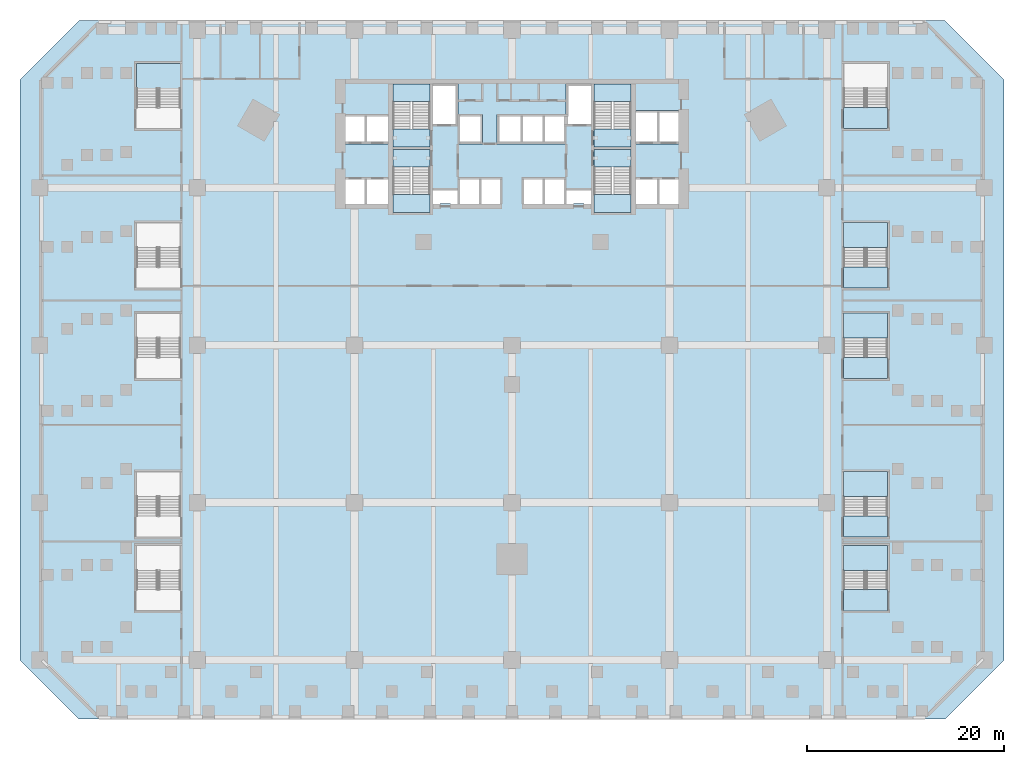
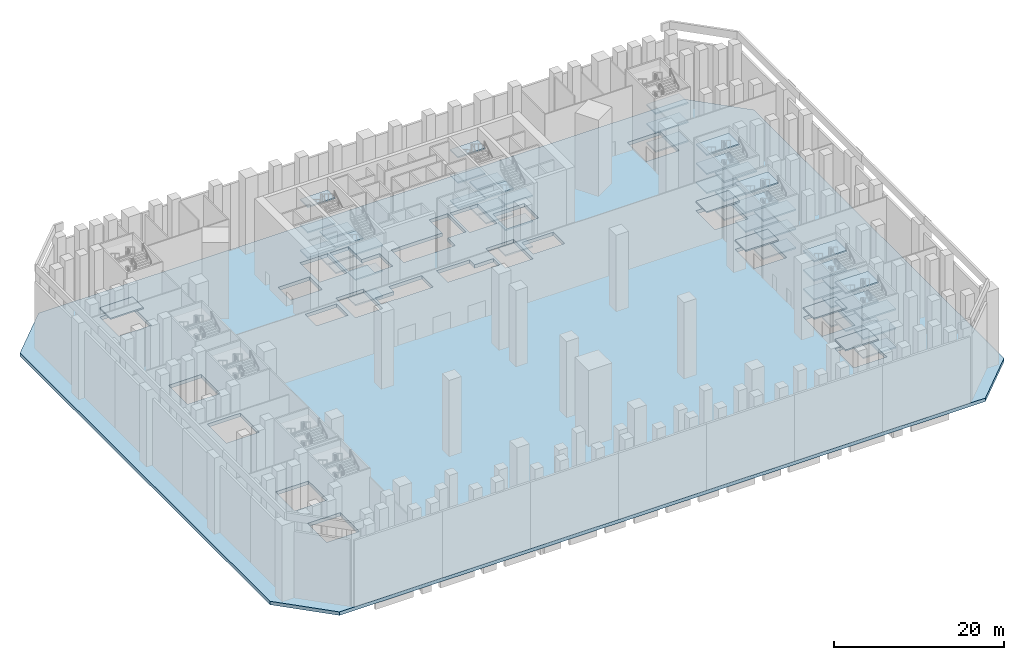
# One storey, part 4 of 31: 53 slabs, 10 elements without a shape of their own.
"""IFC4 building model written with IfcOpenShell, lengths in metres."""

from ifc_helpers import new_model, si_unit, direction, frame, origin, place, context, subcontext, project, spatial, polyline, outline, extrude, material, layer, layer_set, type_object, element, aggregate, save


model = new_model("IFC4")

# Units and contexts
model_context = context("Model", 3, precision=1e-05, world=origin(), true_north=direction((0.0, 1.0)))
body_context = subcontext(model_context, "Body", "Model", "MODEL_VIEW")
ifc_project = project(units=[si_unit("LENGTHUNIT", "METRE"), si_unit("AREAUNIT", "SQUARE_METRE"), si_unit("VOLUMEUNIT", "CUBIC_METRE"), si_unit("PLANEANGLEUNIT", "RADIAN"), si_unit("MASSUNIT", "GRAM", prefix="KILO")], contexts=[model_context])

# Site, building, storey
site_placement = place(None, origin())
site = spatial("IfcSite", under=ifc_project, at=site_placement, CompositionType="ELEMENT")
building_placement = place(site_placement, origin())
building = spatial("IfcBuilding", under=site, at=building_placement, Name="Calabash Gate Tower", CompositionType="ELEMENT")
storey_placement = place(building_placement, frame((0.0, 0.0, 9.0)))
storey = spatial("IfcBuildingStorey", under=building, at=storey_placement, Name="L01", CompositionType="ELEMENT", Elevation=9.0)

# Slab
ifc_material_1 = material(Name="Concrete C40/50", Category="concrete")
ifc_layer_1 = layer(ifc_material_1, 0.5)
ifc_layer_set_1 = layer_set([ifc_layer_1], Name="Reinforced concrete floor slab 500 Concrete C40/50")
slab_type_1 = type_object("IfcSlabType", Name="Reinforced concrete floor slab 500 Concrete C40/50", PredefinedType="FLOOR", material=ifc_layer_set_1)
slab_1_placement = place(storey_placement, frame((0.0, 0.0, -0.5)))
element("IfcSlab", 1, at=slab_1_placement, inside=storey, type_object=slab_type_1, Name="Floor slab L01", PredefinedType="FLOOR", context=body_context, shape_type="SweptSolid", body=[
    extrude(outline(polyline([(44.0, -46.0), (42.0, -46.0), (-42.0, -46.0), (-44.0, -46.0), (-50.0, -40.0), (-50.0, 19.0), (-44.0, 25.0), (-42.0, 25.0), (42.0, 25.0), (44.0, 25.0), (50.0, 19.0), (50.0, -40.0), (44.0, -46.0)]), holes=[polyline([(-1.0, 6.3525390625), (-1.0, 9.052490234375), (-3.25, 9.052490234375), (-5.5, 9.052490234375), (-5.5, 7.8525390625), (-8.050048828125, 7.8525390625), (-8.050048828125, 6.3525390625), (-7.324951171875, 6.3525390625), (-7.324951171875, 6.402587890625), (-6.22509765625, 6.402587890625), (-6.22509765625, 6.3525390625), (-5.5, 6.3525390625), (-3.25, 6.3525390625), (-1.0, 6.3525390625)]), polyline([(8.050048828125, 6.3525390625), (8.050048828125, 7.8525390625), (5.5, 7.8525390625), (5.5, 9.052490234375), (3.25, 9.052490234375), (1.0, 9.052490234375), (1.0, 6.3525390625), (3.25, 6.3525390625), (5.5, 6.3525390625), (6.22509765625, 6.3525390625), (6.22509765625, 6.402587890625), (7.324951171875, 6.402587890625), (7.324951171875, 6.3525390625), (8.050048828125, 6.3525390625)]), polyline([(-3.0, 12.45263671875), (-3.0, 15.45263671875), (-5.5, 15.45263671875), (-5.5, 18.552490234375), (-8.050048828125, 18.552490234375), (-8.050048828125, 14.252685546875), (-5.5, 14.252685546875), (-5.5, 12.45263671875), (-3.0, 12.45263671875)]), polyline([(5.5, 14.252685546875), (8.050048828125, 14.252685546875), (8.050048828125, 18.552490234375), (5.5, 18.552490234375), (5.5, 15.45263671875), (3.25, 15.45263671875), (1.0, 15.45263671875), (-1.5, 15.45263671875), (-1.5, 12.45263671875), (1.0, 12.45263671875), (3.25, 12.45263671875), (5.5, 12.45263671875), (5.5, 14.252685546875)]), polyline([(-16.89990234375, 6.3525390625), (-14.85009765625, 6.3525390625), (-12.60009765625, 6.3525390625), (-12.60009765625, 9.052490234375), (-14.85009765625, 9.052490234375), (-16.89990234375, 9.052490234375), (-16.89990234375, 6.3525390625)]), polyline([(-16.89990234375, 15.45263671875), (-16.89990234375, 12.45263671875), (-14.85009765625, 12.45263671875), (-12.60009765625, 12.45263671875), (-12.60009765625, 15.45263671875), (-14.85009765625, 15.45263671875), (-16.89990234375, 15.45263671875)]), polyline([(12.60009765625, 9.052490234375), (12.60009765625, 6.3525390625), (14.85009765625, 6.3525390625), (16.89990234375, 6.3525390625), (16.89990234375, 9.052490234375), (14.85009765625, 9.052490234375), (12.60009765625, 9.052490234375)]), polyline([(12.60009765625, 15.8525390625), (12.60009765625, 12.45263671875), (14.85009765625, 12.45263671875), (16.89990234375, 12.45263671875), (16.89990234375, 15.8525390625), (14.85009765625, 15.8525390625), (12.60009765625, 15.8525390625)]), polyline([(-12.10009765625, 13.95263671875), (-8.35009765625, 13.95263671875), (-8.35009765625, 18.552490234375), (-12.10009765625, 18.552490234375), (-12.10009765625, 13.95263671875)]), polyline([(-8.35009765625, 5.502685546875), (-8.35009765625, 10.1025390625), (-12.10009765625, 10.1025390625), (-12.10009765625, 5.502685546875), (-8.35009765625, 5.502685546875)]), polyline([(12.10009765625, 18.552490234375), (8.35009765625, 18.552490234375), (8.35009765625, 13.95263671875), (12.10009765625, 13.95263671875), (12.10009765625, 18.552490234375)]), polyline([(8.35009765625, 10.1025390625), (8.35009765625, 5.502685546875), (12.10009765625, 5.502685546875), (12.10009765625, 10.1025390625), (8.35009765625, 10.1025390625)]), polyline([(-33.699951171875, -28.35009765625), (-38.169921875, -28.35009765625), (-38.169921875, -32.840087890625), (-33.699951171875, -32.840087890625), (-33.699951171875, -28.35009765625)]), polyline([(-33.699951171875, -25.340087890625), (-33.699951171875, -20.85009765625), (-38.169921875, -20.85009765625), (-38.169921875, -25.340087890625), (-33.699951171875, -25.340087890625)]), polyline([(-38.169921875, -9.239990234375), (-33.699951171875, -9.239990234375), (-33.699951171875, -4.75), (-38.169921875, -4.75), (-38.169921875, -9.239990234375)]), polyline([(-38.169921875, 4.449951171875), (-38.169921875, -0.0400390625), (-33.699951171875, -0.0400390625), (-33.699951171875, 4.449951171875), (-38.169921875, 4.449951171875)]), polyline([(-33.699951171875, 20.64990234375), (-38.169921875, 20.64990234375), (-38.169921875, 16.159912109375), (-33.699951171875, 16.159912109375), (-33.699951171875, 20.64990234375)]), polyline([(38.169921875, -32.840087890625), (38.169921875, -28.35009765625), (33.699951171875, -28.35009765625), (33.699951171875, -32.840087890625), (38.169921875, -32.840087890625)]), polyline([(33.699951171875, -25.340087890625), (38.169921875, -25.340087890625), (38.169921875, -20.85009765625), (33.699951171875, -20.85009765625), (33.699951171875, -25.340087890625)]), polyline([(33.699951171875, -4.75), (33.699951171875, -9.239990234375), (38.169921875, -9.239990234375), (38.169921875, -4.75), (33.699951171875, -4.75)]), polyline([(38.169921875, 4.449951171875), (33.699951171875, 4.449951171875), (33.699951171875, -0.0400390625), (38.169921875, -0.0400390625), (38.169921875, 4.449951171875)]), polyline([(38.169921875, 16.159912109375), (38.169921875, 20.64990234375), (33.699951171875, 20.64990234375), (33.699951171875, 16.159912109375), (38.169921875, 16.159912109375)])]), origin(), (0.0, 0.0, 1.0), 0.5),
])

# Stair, slabs
ifc_material_2 = material(Name="Concrete C40/50", Category="concrete")
stair_type_1 = type_object("IfcStairType", Name="Exit stair 66 risers of 166.7 mm", PredefinedType="HALF_TURN_STAIR", material=ifc_material_2)
stair_1_placement = place(storey_placement, origin())
stair_1 = element("IfcStair", 2, at=stair_1_placement, inside=storey, type_object=stair_type_1, Name="L01 Exit stair ST1", PredefinedType="HALF_TURN_STAIR")
ifc_material_3 = material(Name="Concrete C40/50", Category="concrete")
ifc_layer_2 = layer(ifc_material_3, 0.199951171875)
ifc_layer_set_2 = layer_set([ifc_layer_2], Name="Stair landing SL200")
slab_type_2 = type_object("IfcSlabType", Name="Stair landing SL200", PredefinedType="LANDING", material=ifc_layer_set_2)
slab_2_placement = place(storey_placement, frame((0.0, 0.0, 1.63330078125)))
slab_2 = element("IfcSlab", 3, at=slab_2_placement, type_object=slab_type_2, Name="ST1 landing 1", PredefinedType="LANDING", context=body_context, shape_type="SweptSolid", body=[
    extrude(outline(polyline([(-8.35009765625, 16.74267578125), (-8.35009765625, 18.552490234375), (-12.10009765625, 18.552490234375), (-12.10009765625, 16.74267578125), (-8.35009765625, 16.74267578125)])), origin(), (0.0, 0.0, 1.0), 0.199951171875),
])
slab_3_placement = place(storey_placement, frame((0.0, 0.0, 3.466552734375)))
slab_3 = element("IfcSlab", 4, at=slab_3_placement, type_object=slab_type_2, Name="ST1 landing 2", PredefinedType="LANDING", context=body_context, shape_type="SweptSolid", body=[
    extrude(outline(polyline([(-8.35009765625, 12.152587890625), (-8.35009765625, 13.95263671875), (-12.10009765625, 13.95263671875), (-12.10009765625, 12.152587890625), (-8.35009765625, 12.152587890625)])), origin(), (0.0, 0.0, 1.0), 0.2001953125),
])
slab_4_placement = place(storey_placement, frame((0.0, 0.0, 5.300048828125)))
slab_4 = element("IfcSlab", 5, at=slab_4_placement, type_object=slab_type_2, Name="ST1 landing 3", PredefinedType="LANDING", context=body_context, shape_type="SweptSolid", body=[
    extrude(outline(polyline([(-8.35009765625, 16.74267578125), (-8.35009765625, 18.552490234375), (-12.10009765625, 18.552490234375), (-12.10009765625, 16.74267578125), (-8.35009765625, 16.74267578125)])), origin(), (0.0, 0.0, 1.0), 0.199951171875),
])
slab_5_placement = place(storey_placement, frame((0.0, 0.0, 7.13330078125)))
slab_5 = element("IfcSlab", 6, at=slab_5_placement, type_object=slab_type_2, Name="ST1 landing 4", PredefinedType="LANDING", context=body_context, shape_type="SweptSolid", body=[
    extrude(outline(polyline([(-8.35009765625, 12.152587890625), (-8.35009765625, 13.95263671875), (-12.10009765625, 13.95263671875), (-12.10009765625, 12.152587890625), (-8.35009765625, 12.152587890625)])), origin(), (0.0, 0.0, 1.0), 0.199951171875),
])
slab_6_placement = place(storey_placement, frame((0.0, 0.0, 8.966552734375)))
slab_6 = element("IfcSlab", 7, at=slab_6_placement, type_object=slab_type_2, Name="ST1 landing 5", PredefinedType="LANDING", context=body_context, shape_type="SweptSolid", body=[
    extrude(outline(polyline([(-8.35009765625, 16.74267578125), (-8.35009765625, 18.552490234375), (-12.10009765625, 18.552490234375), (-12.10009765625, 16.74267578125), (-8.35009765625, 16.74267578125)])), origin(), (0.0, 0.0, 1.0), 0.2001953125),
])
aggregate(stair_1, [slab_2, slab_3, slab_4, slab_5, slab_6])

stair_2_placement = place(storey_placement, origin())
stair_2 = element("IfcStair", 8, at=stair_2_placement, inside=storey, type_object=stair_type_1, Name="L01 Exit stair ST2", PredefinedType="HALF_TURN_STAIR")
slab_7_placement = place(storey_placement, frame((0.0, 0.0, 1.63330078125)))
slab_7 = element("IfcSlab", 9, at=slab_7_placement, type_object=slab_type_2, Name="ST2 landing 1", PredefinedType="LANDING", context=body_context, shape_type="SweptSolid", body=[
    extrude(outline(polyline([(-12.10009765625, 7.3125), (-12.10009765625, 5.502685546875), (-8.35009765625, 5.502685546875), (-8.35009765625, 7.3125), (-12.10009765625, 7.3125)])), origin(), (0.0, 0.0, 1.0), 0.199951171875),
])
slab_8_placement = place(storey_placement, frame((0.0, 0.0, 3.466552734375)))
slab_8 = element("IfcSlab", 10, at=slab_8_placement, type_object=slab_type_2, Name="ST2 landing 2", PredefinedType="LANDING", context=body_context, shape_type="SweptSolid", body=[
    extrude(outline(polyline([(-12.10009765625, 11.902587890625), (-12.10009765625, 10.1025390625), (-8.35009765625, 10.1025390625), (-8.35009765625, 11.902587890625), (-12.10009765625, 11.902587890625)])), origin(), (0.0, 0.0, 1.0), 0.2001953125),
])
slab_9_placement = place(storey_placement, frame((0.0, 0.0, 5.300048828125)))
slab_9 = element("IfcSlab", 11, at=slab_9_placement, type_object=slab_type_2, Name="ST2 landing 3", PredefinedType="LANDING", context=body_context, shape_type="SweptSolid", body=[
    extrude(outline(polyline([(-12.10009765625, 7.3125), (-12.10009765625, 5.502685546875), (-8.35009765625, 5.502685546875), (-8.35009765625, 7.3125), (-12.10009765625, 7.3125)])), origin(), (0.0, 0.0, 1.0), 0.199951171875),
])
slab_10_placement = place(storey_placement, frame((0.0, 0.0, 7.13330078125)))
slab_10 = element("IfcSlab", 12, at=slab_10_placement, type_object=slab_type_2, Name="ST2 landing 4", PredefinedType="LANDING", context=body_context, shape_type="SweptSolid", body=[
    extrude(outline(polyline([(-12.10009765625, 11.902587890625), (-12.10009765625, 10.1025390625), (-8.35009765625, 10.1025390625), (-8.35009765625, 11.902587890625), (-12.10009765625, 11.902587890625)])), origin(), (0.0, 0.0, 1.0), 0.199951171875),
])
slab_11_placement = place(storey_placement, frame((0.0, 0.0, 8.966552734375)))
slab_11 = element("IfcSlab", 13, at=slab_11_placement, type_object=slab_type_2, Name="ST2 landing 5", PredefinedType="LANDING", context=body_context, shape_type="SweptSolid", body=[
    extrude(outline(polyline([(-12.10009765625, 7.3125), (-12.10009765625, 5.502685546875), (-8.35009765625, 5.502685546875), (-8.35009765625, 7.3125), (-12.10009765625, 7.3125)])), origin(), (0.0, 0.0, 1.0), 0.2001953125),
])
aggregate(stair_2, [slab_7, slab_8, slab_9, slab_10, slab_11])

stair_3_placement = place(storey_placement, origin())
stair_3 = element("IfcStair", 14, at=stair_3_placement, inside=storey, type_object=stair_type_1, Name="L01 Exit stair ST3", PredefinedType="HALF_TURN_STAIR")
slab_12_placement = place(storey_placement, frame((0.0, 0.0, 1.63330078125)))
slab_12 = element("IfcSlab", 15, at=slab_12_placement, type_object=slab_type_2, Name="ST3 landing 1", PredefinedType="LANDING", context=body_context, shape_type="SweptSolid", body=[
    extrude(outline(polyline([(12.10009765625, 16.74267578125), (12.10009765625, 18.552490234375), (8.35009765625, 18.552490234375), (8.35009765625, 16.74267578125), (12.10009765625, 16.74267578125)])), origin(), (0.0, 0.0, 1.0), 0.199951171875),
])
slab_13_placement = place(storey_placement, frame((0.0, 0.0, 3.466552734375)))
slab_13 = element("IfcSlab", 16, at=slab_13_placement, type_object=slab_type_2, Name="ST3 landing 2", PredefinedType="LANDING", context=body_context, shape_type="SweptSolid", body=[
    extrude(outline(polyline([(12.10009765625, 12.152587890625), (12.10009765625, 13.95263671875), (8.35009765625, 13.95263671875), (8.35009765625, 12.152587890625), (12.10009765625, 12.152587890625)])), origin(), (0.0, 0.0, 1.0), 0.2001953125),
])
slab_14_placement = place(storey_placement, frame((0.0, 0.0, 5.300048828125)))
slab_14 = element("IfcSlab", 17, at=slab_14_placement, type_object=slab_type_2, Name="ST3 landing 3", PredefinedType="LANDING", context=body_context, shape_type="SweptSolid", body=[
    extrude(outline(polyline([(12.10009765625, 16.74267578125), (12.10009765625, 18.552490234375), (8.35009765625, 18.552490234375), (8.35009765625, 16.74267578125), (12.10009765625, 16.74267578125)])), origin(), (0.0, 0.0, 1.0), 0.199951171875),
])
slab_15_placement = place(storey_placement, frame((0.0, 0.0, 7.13330078125)))
slab_15 = element("IfcSlab", 18, at=slab_15_placement, type_object=slab_type_2, Name="ST3 landing 4", PredefinedType="LANDING", context=body_context, shape_type="SweptSolid", body=[
    extrude(outline(polyline([(12.10009765625, 12.152587890625), (12.10009765625, 13.95263671875), (8.35009765625, 13.95263671875), (8.35009765625, 12.152587890625), (12.10009765625, 12.152587890625)])), origin(), (0.0, 0.0, 1.0), 0.199951171875),
])
slab_16_placement = place(storey_placement, frame((0.0, 0.0, 8.966552734375)))
slab_16 = element("IfcSlab", 19, at=slab_16_placement, type_object=slab_type_2, Name="ST3 landing 5", PredefinedType="LANDING", context=body_context, shape_type="SweptSolid", body=[
    extrude(outline(polyline([(12.10009765625, 16.74267578125), (12.10009765625, 18.552490234375), (8.35009765625, 18.552490234375), (8.35009765625, 16.74267578125), (12.10009765625, 16.74267578125)])), origin(), (0.0, 0.0, 1.0), 0.2001953125),
])
aggregate(stair_3, [slab_12, slab_13, slab_14, slab_15, slab_16])

stair_4_placement = place(storey_placement, origin())
stair_4 = element("IfcStair", 20, at=stair_4_placement, inside=storey, type_object=stair_type_1, Name="L01 Exit stair ST4", PredefinedType="HALF_TURN_STAIR")
slab_17_placement = place(storey_placement, frame((0.0, 0.0, 1.63330078125)))
slab_17 = element("IfcSlab", 21, at=slab_17_placement, type_object=slab_type_2, Name="ST4 landing 1", PredefinedType="LANDING", context=body_context, shape_type="SweptSolid", body=[
    extrude(outline(polyline([(8.35009765625, 7.3125), (8.35009765625, 5.502685546875), (12.10009765625, 5.502685546875), (12.10009765625, 7.3125), (8.35009765625, 7.3125)])), origin(), (0.0, 0.0, 1.0), 0.199951171875),
])
slab_18_placement = place(storey_placement, frame((0.0, 0.0, 3.466552734375)))
slab_18 = element("IfcSlab", 22, at=slab_18_placement, type_object=slab_type_2, Name="ST4 landing 2", PredefinedType="LANDING", context=body_context, shape_type="SweptSolid", body=[
    extrude(outline(polyline([(8.35009765625, 11.902587890625), (8.35009765625, 10.1025390625), (12.10009765625, 10.1025390625), (12.10009765625, 11.902587890625), (8.35009765625, 11.902587890625)])), origin(), (0.0, 0.0, 1.0), 0.2001953125),
])
slab_19_placement = place(storey_placement, frame((0.0, 0.0, 5.300048828125)))
slab_19 = element("IfcSlab", 23, at=slab_19_placement, type_object=slab_type_2, Name="ST4 landing 3", PredefinedType="LANDING", context=body_context, shape_type="SweptSolid", body=[
    extrude(outline(polyline([(8.35009765625, 7.3125), (8.35009765625, 5.502685546875), (12.10009765625, 5.502685546875), (12.10009765625, 7.3125), (8.35009765625, 7.3125)])), origin(), (0.0, 0.0, 1.0), 0.199951171875),
])
slab_20_placement = place(storey_placement, frame((0.0, 0.0, 7.13330078125)))
slab_20 = element("IfcSlab", 24, at=slab_20_placement, type_object=slab_type_2, Name="ST4 landing 4", PredefinedType="LANDING", context=body_context, shape_type="SweptSolid", body=[
    extrude(outline(polyline([(8.35009765625, 11.902587890625), (8.35009765625, 10.1025390625), (12.10009765625, 10.1025390625), (12.10009765625, 11.902587890625), (8.35009765625, 11.902587890625)])), origin(), (0.0, 0.0, 1.0), 0.199951171875),
])
slab_21_placement = place(storey_placement, frame((0.0, 0.0, 8.966552734375)))
slab_21 = element("IfcSlab", 25, at=slab_21_placement, type_object=slab_type_2, Name="ST4 landing 5", PredefinedType="LANDING", context=body_context, shape_type="SweptSolid", body=[
    extrude(outline(polyline([(8.35009765625, 7.3125), (8.35009765625, 5.502685546875), (12.10009765625, 5.502685546875), (12.10009765625, 7.3125), (8.35009765625, 7.3125)])), origin(), (0.0, 0.0, 1.0), 0.2001953125),
])
aggregate(stair_4, [slab_17, slab_18, slab_19, slab_20, slab_21])

# Stair, slab
ifc_material_4 = material(Name="Concrete C40/50", Category="concrete")
stair_type_2 = type_object("IfcStairType", Name="Public stair 64 risers of 171.9 mm", PredefinedType="HALF_TURN_STAIR", material=ifc_material_4)
stair_5_placement = place(storey_placement, origin())
stair_5 = element("IfcStair", 26, at=stair_5_placement, inside=storey, type_object=stair_type_2, Name="L01 Public Stair PS5", PredefinedType="HALF_TURN_STAIR")
slab_22_placement = place(storey_placement, frame((0.0, 0.0, 1.175048828125)))
slab_22 = element("IfcSlab", 27, at=slab_22_placement, type_object=slab_type_2, Name="PS5 landing 1", PredefinedType="LANDING", context=body_context, shape_type="SweptSolid", body=[
    extrude(outline(polyline([(-33.699951171875, 18.113037109375), (-33.699951171875, 20.64990234375), (-38.169921875, 20.64990234375), (-38.169921875, 18.113037109375), (-33.699951171875, 18.113037109375)])), origin(), (0.0, 0.0, 1.0), 0.199951171875),
])
aggregate(stair_5, [slab_22])

# Stair, slabs
stair_6_placement = place(storey_placement, origin())
stair_6 = element("IfcStair", 28, at=stair_6_placement, inside=storey, type_object=stair_type_2, Name="L01 Public Stair PS6", PredefinedType="HALF_TURN_STAIR")
slab_23_placement = place(storey_placement, frame((0.0, 0.0, 1.175048828125)))
slab_23 = element("IfcSlab", 29, at=slab_23_placement, type_object=slab_type_2, Name="PS6 landing 1", PredefinedType="LANDING", context=body_context, shape_type="SweptSolid", body=[
    extrude(outline(polyline([(38.169921875, -30.886962890625), (38.169921875, -28.35009765625), (33.699951171875, -28.35009765625), (33.699951171875, -30.886962890625), (38.169921875, -30.886962890625)])), origin(), (0.0, 0.0, 1.0), 0.199951171875),
])
slab_24_placement = place(storey_placement, frame((0.0, 0.0, 2.550048828125)))
slab_24 = element("IfcSlab", 30, at=slab_24_placement, type_object=slab_type_2, Name="PS6 landing 2", PredefinedType="LANDING", context=body_context, shape_type="SweptSolid", body=[
    extrude(outline(polyline([(38.169921875, -35.0), (38.169921875, -32.840087890625), (33.699951171875, -32.840087890625), (33.699951171875, -35.0), (38.169921875, -35.0)])), origin(), (0.0, 0.0, 1.0), 0.199951171875),
])
slab_25_placement = place(storey_placement, frame((0.0, 0.0, 3.925048828125)))
slab_25 = element("IfcSlab", 31, at=slab_25_placement, type_object=slab_type_2, Name="PS6 landing 3", PredefinedType="LANDING", context=body_context, shape_type="SweptSolid", body=[
    extrude(outline(polyline([(38.169921875, -30.886962890625), (38.169921875, -28.35009765625), (33.699951171875, -28.35009765625), (33.699951171875, -30.886962890625), (38.169921875, -30.886962890625)])), origin(), (0.0, 0.0, 1.0), 0.199951171875),
])
slab_26_placement = place(storey_placement, frame((0.0, 0.0, 5.300048828125)))
slab_26 = element("IfcSlab", 32, at=slab_26_placement, type_object=slab_type_2, Name="PS6 landing 4", PredefinedType="LANDING", context=body_context, shape_type="SweptSolid", body=[
    extrude(outline(polyline([(38.169921875, -35.0), (38.169921875, -32.840087890625), (33.699951171875, -32.840087890625), (33.699951171875, -35.0), (38.169921875, -35.0)])), origin(), (0.0, 0.0, 1.0), 0.199951171875),
])
slab_27_placement = place(storey_placement, frame((0.0, 0.0, 6.675048828125)))
slab_27 = element("IfcSlab", 33, at=slab_27_placement, type_object=slab_type_2, Name="PS6 landing 5", PredefinedType="LANDING", context=body_context, shape_type="SweptSolid", body=[
    extrude(outline(polyline([(38.169921875, -30.886962890625), (38.169921875, -28.35009765625), (33.699951171875, -28.35009765625), (33.699951171875, -30.886962890625), (38.169921875, -30.886962890625)])), origin(), (0.0, 0.0, 1.0), 0.199951171875),
])
slab_28_placement = place(storey_placement, frame((0.0, 0.0, 8.050048828125)))
slab_28 = element("IfcSlab", 34, at=slab_28_placement, type_object=slab_type_2, Name="PS6 landing 6", PredefinedType="LANDING", context=body_context, shape_type="SweptSolid", body=[
    extrude(outline(polyline([(38.169921875, -35.0), (38.169921875, -32.840087890625), (33.699951171875, -32.840087890625), (33.699951171875, -35.0), (38.169921875, -35.0)])), origin(), (0.0, 0.0, 1.0), 0.199951171875),
])
slab_29_placement = place(storey_placement, frame((0.0, 0.0, 9.425048828125)))
slab_29 = element("IfcSlab", 35, at=slab_29_placement, type_object=slab_type_2, Name="PS6 landing 7", PredefinedType="LANDING", context=body_context, shape_type="SweptSolid", body=[
    extrude(outline(polyline([(38.169921875, -30.886962890625), (38.169921875, -28.35009765625), (33.699951171875, -28.35009765625), (33.699951171875, -30.886962890625), (38.169921875, -30.886962890625)])), origin(), (0.0, 0.0, 1.0), 0.199951171875),
])
aggregate(stair_6, [slab_23, slab_24, slab_25, slab_26, slab_27, slab_28, slab_29])

stair_7_placement = place(storey_placement, origin())
stair_7 = element("IfcStair", 36, at=stair_7_placement, inside=storey, type_object=stair_type_2, Name="L01 Public Stair PS7", PredefinedType="HALF_TURN_STAIR")
slab_30_placement = place(storey_placement, frame((0.0, 0.0, 1.175048828125)))
slab_30 = element("IfcSlab", 37, at=slab_30_placement, type_object=slab_type_2, Name="PS7 landing 1", PredefinedType="LANDING", context=body_context, shape_type="SweptSolid", body=[
    extrude(outline(polyline([(38.169921875, -23.386962890625), (38.169921875, -20.85009765625), (33.699951171875, -20.85009765625), (33.699951171875, -23.386962890625), (38.169921875, -23.386962890625)])), origin(), (0.0, 0.0, 1.0), 0.199951171875),
])
slab_31_placement = place(storey_placement, frame((0.0, 0.0, 2.550048828125)))
slab_31 = element("IfcSlab", 38, at=slab_31_placement, type_object=slab_type_2, Name="PS7 landing 2", PredefinedType="LANDING", context=body_context, shape_type="SweptSolid", body=[
    extrude(outline(polyline([(38.169921875, -27.5), (38.169921875, -25.340087890625), (33.699951171875, -25.340087890625), (33.699951171875, -27.5), (38.169921875, -27.5)])), origin(), (0.0, 0.0, 1.0), 0.199951171875),
])
slab_32_placement = place(storey_placement, frame((0.0, 0.0, 3.925048828125)))
slab_32 = element("IfcSlab", 39, at=slab_32_placement, type_object=slab_type_2, Name="PS7 landing 3", PredefinedType="LANDING", context=body_context, shape_type="SweptSolid", body=[
    extrude(outline(polyline([(38.169921875, -23.386962890625), (38.169921875, -20.85009765625), (33.699951171875, -20.85009765625), (33.699951171875, -23.386962890625), (38.169921875, -23.386962890625)])), origin(), (0.0, 0.0, 1.0), 0.199951171875),
])
slab_33_placement = place(storey_placement, frame((0.0, 0.0, 5.300048828125)))
slab_33 = element("IfcSlab", 40, at=slab_33_placement, type_object=slab_type_2, Name="PS7 landing 4", PredefinedType="LANDING", context=body_context, shape_type="SweptSolid", body=[
    extrude(outline(polyline([(38.169921875, -27.5), (38.169921875, -25.340087890625), (33.699951171875, -25.340087890625), (33.699951171875, -27.5), (38.169921875, -27.5)])), origin(), (0.0, 0.0, 1.0), 0.199951171875),
])
slab_34_placement = place(storey_placement, frame((0.0, 0.0, 6.675048828125)))
slab_34 = element("IfcSlab", 41, at=slab_34_placement, type_object=slab_type_2, Name="PS7 landing 5", PredefinedType="LANDING", context=body_context, shape_type="SweptSolid", body=[
    extrude(outline(polyline([(38.169921875, -23.386962890625), (38.169921875, -20.85009765625), (33.699951171875, -20.85009765625), (33.699951171875, -23.386962890625), (38.169921875, -23.386962890625)])), origin(), (0.0, 0.0, 1.0), 0.199951171875),
])
slab_35_placement = place(storey_placement, frame((0.0, 0.0, 8.050048828125)))
slab_35 = element("IfcSlab", 42, at=slab_35_placement, type_object=slab_type_2, Name="PS7 landing 6", PredefinedType="LANDING", context=body_context, shape_type="SweptSolid", body=[
    extrude(outline(polyline([(38.169921875, -27.5), (38.169921875, -25.340087890625), (33.699951171875, -25.340087890625), (33.699951171875, -27.5), (38.169921875, -27.5)])), origin(), (0.0, 0.0, 1.0), 0.199951171875),
])
slab_36_placement = place(storey_placement, frame((0.0, 0.0, 9.425048828125)))
slab_36 = element("IfcSlab", 43, at=slab_36_placement, type_object=slab_type_2, Name="PS7 landing 7", PredefinedType="LANDING", context=body_context, shape_type="SweptSolid", body=[
    extrude(outline(polyline([(38.169921875, -23.386962890625), (38.169921875, -20.85009765625), (33.699951171875, -20.85009765625), (33.699951171875, -23.386962890625), (38.169921875, -23.386962890625)])), origin(), (0.0, 0.0, 1.0), 0.199951171875),
])
aggregate(stair_7, [slab_30, slab_31, slab_32, slab_33, slab_34, slab_35, slab_36])

stair_8_placement = place(storey_placement, origin())
stair_8 = element("IfcStair", 44, at=stair_8_placement, inside=storey, type_object=stair_type_2, Name="L01 Public Stair PS8", PredefinedType="HALF_TURN_STAIR")
slab_37_placement = place(storey_placement, frame((0.0, 0.0, 1.175048828125)))
slab_37 = element("IfcSlab", 45, at=slab_37_placement, type_object=slab_type_2, Name="PS8 landing 1", PredefinedType="LANDING", context=body_context, shape_type="SweptSolid", body=[
    extrude(outline(polyline([(38.169921875, -7.287109375), (38.169921875, -4.75), (33.699951171875, -4.75), (33.699951171875, -7.287109375), (38.169921875, -7.287109375)])), origin(), (0.0, 0.0, 1.0), 0.199951171875),
])
slab_38_placement = place(storey_placement, frame((0.0, 0.0, 2.550048828125)))
slab_38 = element("IfcSlab", 46, at=slab_38_placement, type_object=slab_type_2, Name="PS8 landing 2", PredefinedType="LANDING", context=body_context, shape_type="SweptSolid", body=[
    extrude(outline(polyline([(38.169921875, -11.39990234375), (38.169921875, -9.239990234375), (33.699951171875, -9.239990234375), (33.699951171875, -11.39990234375), (38.169921875, -11.39990234375)])), origin(), (0.0, 0.0, 1.0), 0.199951171875),
])
slab_39_placement = place(storey_placement, frame((0.0, 0.0, 3.925048828125)))
slab_39 = element("IfcSlab", 47, at=slab_39_placement, type_object=slab_type_2, Name="PS8 landing 3", PredefinedType="LANDING", context=body_context, shape_type="SweptSolid", body=[
    extrude(outline(polyline([(38.169921875, -7.287109375), (38.169921875, -4.75), (33.699951171875, -4.75), (33.699951171875, -7.287109375), (38.169921875, -7.287109375)])), origin(), (0.0, 0.0, 1.0), 0.199951171875),
])
slab_40_placement = place(storey_placement, frame((0.0, 0.0, 5.300048828125)))
slab_40 = element("IfcSlab", 48, at=slab_40_placement, type_object=slab_type_2, Name="PS8 landing 4", PredefinedType="LANDING", context=body_context, shape_type="SweptSolid", body=[
    extrude(outline(polyline([(38.169921875, -11.39990234375), (38.169921875, -9.239990234375), (33.699951171875, -9.239990234375), (33.699951171875, -11.39990234375), (38.169921875, -11.39990234375)])), origin(), (0.0, 0.0, 1.0), 0.199951171875),
])
slab_41_placement = place(storey_placement, frame((0.0, 0.0, 6.675048828125)))
slab_41 = element("IfcSlab", 49, at=slab_41_placement, type_object=slab_type_2, Name="PS8 landing 5", PredefinedType="LANDING", context=body_context, shape_type="SweptSolid", body=[
    extrude(outline(polyline([(38.169921875, -7.287109375), (38.169921875, -4.75), (33.699951171875, -4.75), (33.699951171875, -7.287109375), (38.169921875, -7.287109375)])), origin(), (0.0, 0.0, 1.0), 0.199951171875),
])
slab_42_placement = place(storey_placement, frame((0.0, 0.0, 8.050048828125)))
slab_42 = element("IfcSlab", 50, at=slab_42_placement, type_object=slab_type_2, Name="PS8 landing 6", PredefinedType="LANDING", context=body_context, shape_type="SweptSolid", body=[
    extrude(outline(polyline([(38.169921875, -11.39990234375), (38.169921875, -9.239990234375), (33.699951171875, -9.239990234375), (33.699951171875, -11.39990234375), (38.169921875, -11.39990234375)])), origin(), (0.0, 0.0, 1.0), 0.199951171875),
])
slab_43_placement = place(storey_placement, frame((0.0, 0.0, 9.425048828125)))
slab_43 = element("IfcSlab", 51, at=slab_43_placement, type_object=slab_type_2, Name="PS8 landing 7", PredefinedType="LANDING", context=body_context, shape_type="SweptSolid", body=[
    extrude(outline(polyline([(38.169921875, -7.287109375), (38.169921875, -4.75), (33.699951171875, -4.75), (33.699951171875, -7.287109375), (38.169921875, -7.287109375)])), origin(), (0.0, 0.0, 1.0), 0.199951171875),
])
aggregate(stair_8, [slab_37, slab_38, slab_39, slab_40, slab_41, slab_42, slab_43])

stair_9_placement = place(storey_placement, origin())
stair_9 = element("IfcStair", 52, at=stair_9_placement, inside=storey, type_object=stair_type_2, Name="L01 Public Stair PS9", PredefinedType="HALF_TURN_STAIR")
slab_44_placement = place(storey_placement, frame((0.0, 0.0, 1.175048828125)))
slab_44 = element("IfcSlab", 53, at=slab_44_placement, type_object=slab_type_2, Name="PS9 landing 1", PredefinedType="LANDING", context=body_context, shape_type="SweptSolid", body=[
    extrude(outline(polyline([(38.169921875, 1.9130859375), (38.169921875, 4.449951171875), (33.699951171875, 4.449951171875), (33.699951171875, 1.9130859375), (38.169921875, 1.9130859375)])), origin(), (0.0, 0.0, 1.0), 0.199951171875),
])
slab_45_placement = place(storey_placement, frame((0.0, 0.0, 2.550048828125)))
slab_45 = element("IfcSlab", 54, at=slab_45_placement, type_object=slab_type_2, Name="PS9 landing 2", PredefinedType="LANDING", context=body_context, shape_type="SweptSolid", body=[
    extrude(outline(polyline([(38.169921875, -2.199951171875), (38.169921875, -0.0400390625), (33.699951171875, -0.0400390625), (33.699951171875, -2.199951171875), (38.169921875, -2.199951171875)])), origin(), (0.0, 0.0, 1.0), 0.199951171875),
])
slab_46_placement = place(storey_placement, frame((0.0, 0.0, 3.925048828125)))
slab_46 = element("IfcSlab", 55, at=slab_46_placement, type_object=slab_type_2, Name="PS9 landing 3", PredefinedType="LANDING", context=body_context, shape_type="SweptSolid", body=[
    extrude(outline(polyline([(38.169921875, 1.9130859375), (38.169921875, 4.449951171875), (33.699951171875, 4.449951171875), (33.699951171875, 1.9130859375), (38.169921875, 1.9130859375)])), origin(), (0.0, 0.0, 1.0), 0.199951171875),
])
slab_47_placement = place(storey_placement, frame((0.0, 0.0, 5.300048828125)))
slab_47 = element("IfcSlab", 56, at=slab_47_placement, type_object=slab_type_2, Name="PS9 landing 4", PredefinedType="LANDING", context=body_context, shape_type="SweptSolid", body=[
    extrude(outline(polyline([(38.169921875, -2.199951171875), (38.169921875, -0.0400390625), (33.699951171875, -0.0400390625), (33.699951171875, -2.199951171875), (38.169921875, -2.199951171875)])), origin(), (0.0, 0.0, 1.0), 0.199951171875),
])
slab_48_placement = place(storey_placement, frame((0.0, 0.0, 6.675048828125)))
slab_48 = element("IfcSlab", 57, at=slab_48_placement, type_object=slab_type_2, Name="PS9 landing 5", PredefinedType="LANDING", context=body_context, shape_type="SweptSolid", body=[
    extrude(outline(polyline([(38.169921875, 1.9130859375), (38.169921875, 4.449951171875), (33.699951171875, 4.449951171875), (33.699951171875, 1.9130859375), (38.169921875, 1.9130859375)])), origin(), (0.0, 0.0, 1.0), 0.199951171875),
])
slab_49_placement = place(storey_placement, frame((0.0, 0.0, 8.050048828125)))
slab_49 = element("IfcSlab", 58, at=slab_49_placement, type_object=slab_type_2, Name="PS9 landing 6", PredefinedType="LANDING", context=body_context, shape_type="SweptSolid", body=[
    extrude(outline(polyline([(38.169921875, -2.199951171875), (38.169921875, -0.0400390625), (33.699951171875, -0.0400390625), (33.699951171875, -2.199951171875), (38.169921875, -2.199951171875)])), origin(), (0.0, 0.0, 1.0), 0.199951171875),
])
slab_50_placement = place(storey_placement, frame((0.0, 0.0, 9.425048828125)))
slab_50 = element("IfcSlab", 59, at=slab_50_placement, type_object=slab_type_2, Name="PS9 landing 7", PredefinedType="LANDING", context=body_context, shape_type="SweptSolid", body=[
    extrude(outline(polyline([(38.169921875, 1.9130859375), (38.169921875, 4.449951171875), (33.699951171875, 4.449951171875), (33.699951171875, 1.9130859375), (38.169921875, 1.9130859375)])), origin(), (0.0, 0.0, 1.0), 0.199951171875),
])
aggregate(stair_9, [slab_44, slab_45, slab_46, slab_47, slab_48, slab_49, slab_50])

stair_10_placement = place(storey_placement, origin())
stair_10 = element("IfcStair", 60, at=stair_10_placement, inside=storey, type_object=stair_type_2, Name="L01 Public Stair PS10", PredefinedType="HALF_TURN_STAIR")
slab_51_placement = place(storey_placement, frame((0.0, 0.0, 2.550048828125)))
slab_51 = element("IfcSlab", 61, at=slab_51_placement, type_object=slab_type_2, Name="PS10 landing 2", PredefinedType="LANDING", context=body_context, shape_type="SweptSolid", body=[
    extrude(outline(polyline([(38.169921875, 14.0), (38.169921875, 16.159912109375), (33.699951171875, 16.159912109375), (33.699951171875, 14.0), (38.169921875, 14.0)])), origin(), (0.0, 0.0, 1.0), 0.199951171875),
])
slab_52_placement = place(storey_placement, frame((0.0, 0.0, 5.300048828125)))
slab_52 = element("IfcSlab", 62, at=slab_52_placement, type_object=slab_type_2, Name="PS10 landing 4", PredefinedType="LANDING", context=body_context, shape_type="SweptSolid", body=[
    extrude(outline(polyline([(38.169921875, 14.0), (38.169921875, 16.159912109375), (33.699951171875, 16.159912109375), (33.699951171875, 14.0), (38.169921875, 14.0)])), origin(), (0.0, 0.0, 1.0), 0.199951171875),
])
slab_53_placement = place(storey_placement, frame((0.0, 0.0, 8.050048828125)))
slab_53 = element("IfcSlab", 63, at=slab_53_placement, type_object=slab_type_2, Name="PS10 landing 6", PredefinedType="LANDING", context=body_context, shape_type="SweptSolid", body=[
    extrude(outline(polyline([(38.169921875, 14.0), (38.169921875, 16.159912109375), (33.699951171875, 16.159912109375), (33.699951171875, 14.0), (38.169921875, 14.0)])), origin(), (0.0, 0.0, 1.0), 0.199951171875),
])
aggregate(stair_10, [slab_51, slab_52, slab_53])

save(model, "model.ifc")
